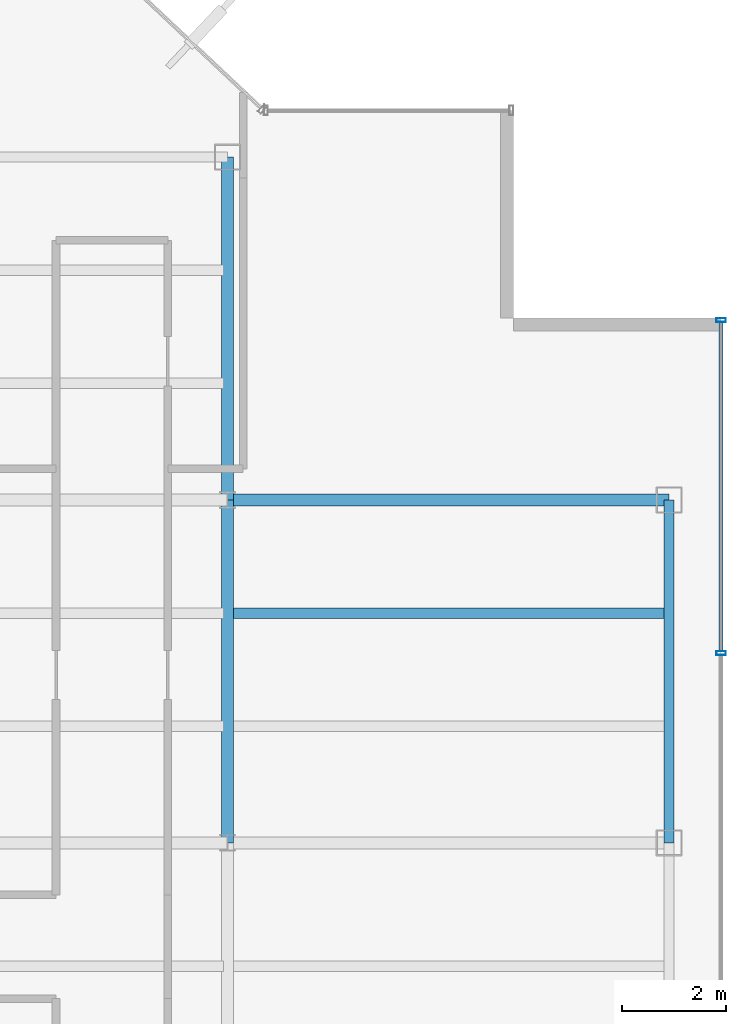
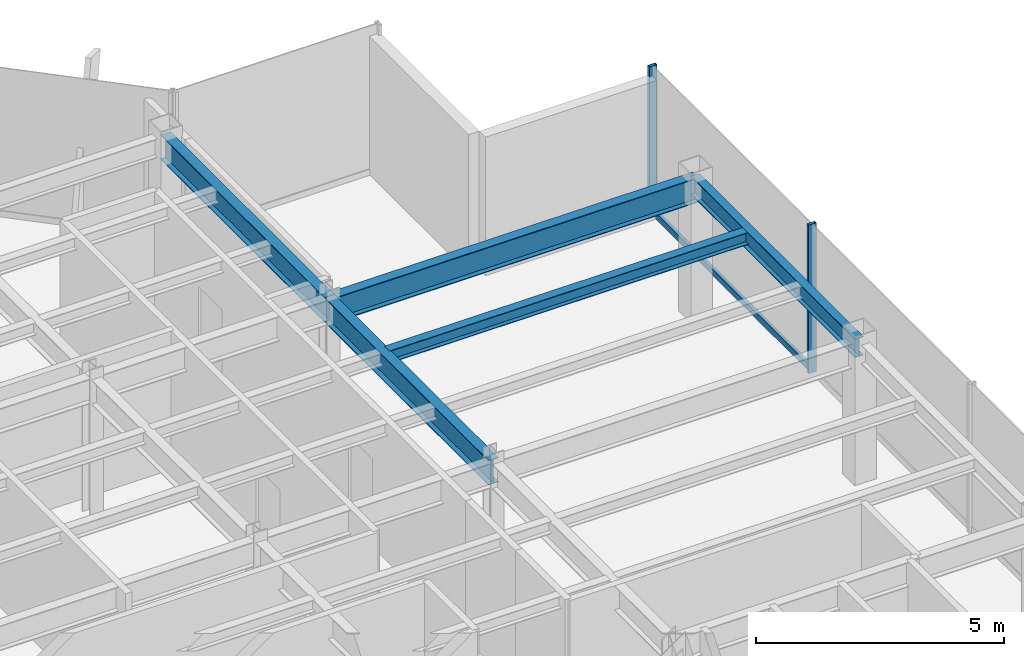
# One storey, part 11 of 22: 5 beams, 3 members, 1 element without a shape of its own.
"""IFC4 building model written with IfcOpenShell, lengths in metres."""

from ifc_helpers import new_model, si_unit, derived_unit, direction, frame, origin, origin_2d, place, context, subcontext, project, spatial, hollow_rectangle, i_section, extrude, source, transform, mapped, material, material_profile, profile_set, type_object, element, aggregate, save


model = new_model("IFC4")

# Units and contexts
model_context = context("Model", 3, precision=1e-05, world=origin(), true_north=direction((0.0, 1.0)))
body_context = subcontext(model_context, "Body", "Model", "MODEL_VIEW")
ifc_project = project(units=[si_unit("LENGTHUNIT", "METRE"), si_unit("AREAUNIT", "SQUARE_METRE"), si_unit("VOLUMEUNIT", "CUBIC_METRE"), si_unit("PLANEANGLEUNIT", "RADIAN"), si_unit("MASSUNIT", "GRAM", prefix="KILO"), derived_unit("THERMALTRANSMITTANCEUNIT", [(si_unit("POWERUNIT", "WATT"), 1), (si_unit("LENGTHUNIT", "METRE"), -2), (si_unit("THERMODYNAMICTEMPERATUREUNIT", "KELVIN"), -1)])], contexts=[model_context])

# Site, building, storey
site_placement = place(None, origin())
site = spatial("IfcSite", under=ifc_project, at=site_placement, CompositionType="ELEMENT")
building_placement = place(site_placement, origin())
building = spatial("IfcBuilding", under=site, at=building_placement, Name="Skarnbrae Concourse Arena and Tower", CompositionType="ELEMENT")
storey_placement = place(building_placement, frame((0.0, 0.0, 262.449951171875)))
storey = spatial("IfcBuildingStorey", under=building, at=storey_placement, Name="L68", CompositionType="ELEMENT", Elevation=262.449951171875)

# Beams
ifc_material_1 = material(Name="Steel CSA G40.21 350W", Category="steel")
ifc_material_profile_1 = material_profile(ifc_material_1, i_section(OverallWidth=0.22802734375, OverallDepth=0.60791015625, WebThickness=0.01123046875, FlangeThickness=0.017333984375, at=origin_2d()), Name="W610X113")
ifc_profile_set_1 = profile_set([ifc_material_profile_1], Name="Steel CSA G40.21 350W")
beam_type_1 = type_object("IfcBeamType", Name="BM-GIRD-W610X113", PredefinedType="BEAM", material=ifc_profile_set_1)
shared_shape_1 = source(origin(), body_context, "Body", "SweptSolid", [
    extrude(i_section(OverallWidth=0.22802734375, OverallDepth=0.60791015625, WebThickness=0.01123046875, FlangeThickness=0.017333984375, at=origin_2d()), origin(), (0.0, 0.0, 1.0), 6.60009765625),
])
beam_1_placement = place(storey_placement, frame((33.5, 21.199951171875, 3.095947265625), z_axis=(0.0, 1.0, 0.0), x_axis=(-1.0, 0.0, 0.0)))
element("IfcBeam", 1, at=beam_1_placement, inside=storey, type_object=beam_type_1, Name="L68 Primary N-S girder X33.5-2", PredefinedType="BEAM", context=body_context, shape_type="MappedRepresentation", body=[
    mapped(shared_shape_1, transform((0.0, 0.0, 0.0))),
])
shared_shape_2 = source(origin(), body_context, "Body", "SweptSolid", [
    extrude(i_section(OverallWidth=0.22802734375, OverallDepth=0.60791015625, WebThickness=0.01123046875, FlangeThickness=0.017333984375, at=origin_2d()), origin(), (0.0, 0.0, 1.0), 8.5),
])
beam_2_placement = place(storey_placement, frame((33.5, 27.800048828125, 3.095947265625), z_axis=(1.0, 0.0, 0.0), x_axis=(0.0, 1.0, 0.0)))
element("IfcBeam", 2, at=beam_2_placement, inside=storey, type_object=beam_type_1, Name="L68 Primary E-W girder Y27.8-6", PredefinedType="BEAM", context=body_context, shape_type="MappedRepresentation", body=[
    mapped(shared_shape_2, transform((0.0, 0.0, 0.0))),
])
ifc_material_profile_2 = material_profile(ifc_material_1, i_section(OverallWidth=0.19091796875, OverallDepth=0.4599609375, WebThickness=0.010009765625, FlangeThickness=0.01611328125, at=origin_2d()), Name="W460X82")
ifc_profile_set_2 = profile_set([ifc_material_profile_2], Name="Steel CSA G40.21 350W")
beam_type_2 = type_object("IfcBeamType", Name="BM-SPAN-W460X82", PredefinedType="SPANDREL", material=ifc_profile_set_2)
shared_shape_3 = source(origin(), body_context, "Body", "SweptSolid", [
    extrude(i_section(OverallWidth=0.19091796875, OverallDepth=0.4599609375, WebThickness=0.010009765625, FlangeThickness=0.01611328125, at=origin_2d()), origin(), (0.0, 0.0, 1.0), 6.60009765625),
])
beam_3_placement = place(storey_placement, frame((42.0, 21.199951171875, 3.170166015625), z_axis=(0.0, 1.0, 0.0), x_axis=(-1.0, 0.0, 0.0)))
element("IfcBeam", 3, at=beam_3_placement, inside=storey, type_object=beam_type_2, Name="L68 Perimeter spandrel X42.0-3", PredefinedType="SPANDREL", context=body_context, shape_type="MappedRepresentation", body=[
    mapped(shared_shape_3, transform((0.0, 0.0, 0.0))),
])
shared_shape_4 = source(origin(), body_context, "Body", "SweptSolid", [
    extrude(i_section(OverallWidth=0.22802734375, OverallDepth=0.60791015625, WebThickness=0.01123046875, FlangeThickness=0.017333984375, at=origin_2d()), origin(), (0.0, 0.0, 1.0), 6.599853515625),
])
beam_4_placement = place(storey_placement, frame((33.5, 27.800048828125, 3.095947265625), z_axis=(0.0, 1.0, 0.0), x_axis=(-1.0, 0.0, 0.0)))
element("IfcBeam", 4, at=beam_4_placement, inside=storey, type_object=beam_type_1, Name="L68 Primary N-S girder X33.5-3", PredefinedType="BEAM", context=body_context, shape_type="MappedRepresentation", body=[
    mapped(shared_shape_4, transform((0.0, 0.0, 0.0))),
])
ifc_material_profile_3 = material_profile(ifc_material_1, i_section(OverallWidth=0.202880859375, OverallDepth=0.302978515625, WebThickness=0.007568359375, FlangeThickness=0.01318359375, at=origin_2d()), Name="W310X60")
ifc_profile_set_3 = profile_set([ifc_material_profile_3], Name="Steel CSA G40.21 350W")
beam_type_3 = type_object("IfcBeamType", Name="BM-JOIST-W310X60", PredefinedType="JOIST", material=ifc_profile_set_3)
shared_shape_5 = source(origin(), body_context, "Body", "SweptSolid", [
    extrude(i_section(OverallWidth=0.202880859375, OverallDepth=0.302978515625, WebThickness=0.007568359375, FlangeThickness=0.01318359375, at=origin_2d()), origin(), (0.0, 0.0, 1.0), 8.33984375),
])
beam_5_placement = place(storey_placement, frame((33.580078125, 25.6220703125, 3.24853515625), z_axis=(1.0, 0.0, 0.0), x_axis=(0.0, 1.0, 0.0)))
element("IfcBeam", 5, at=beam_5_placement, inside=storey, type_object=beam_type_3, Name="L68 Secondary floor joist 2.2.6", PredefinedType="JOIST", context=body_context, shape_type="MappedRepresentation", body=[
    mapped(shared_shape_5, transform((0.0, 0.0, 0.0))),
])

# Curtain wall, members
ifc_material_2 = material(Name="Bronze anodised aluminium 6063-T6", Category="aluminium")
curtain_wall_type = type_object("IfcCurtainWallType", Name="CW-SYS-05-HIGHZONE", PredefinedType="USERDEFINED", material=ifc_material_2)
curtain_wall_placement = place(storey_placement, origin())
curtain_wall = element("IfcCurtainWall", 6, at=curtain_wall_placement, inside=storey, type_object=curtain_wall_type, Name="L68 Unitised curtain wall CW-L68-E04", ObjectType="UNITISED CURTAIN WALL", PredefinedType="USERDEFINED")
ifc_material_profile_4 = material_profile(ifc_material_2, hollow_rectangle(XDim=0.074951171875, YDim=0.14990234375, WallThickness=0.00390625, at=origin_2d()), Name="ALU-TRAN-75X150")
ifc_profile_set_4 = profile_set([ifc_material_profile_4], Name="Bronze anodised aluminium 6063-T6")
member_type_1 = type_object("IfcMemberType", Name="CWT-CW-05", PredefinedType="USERDEFINED", material=ifc_profile_set_4)
shared_shape_6 = source(origin(), body_context, "Body", "SweptSolid", [
    extrude(hollow_rectangle(XDim=0.074951171875, YDim=0.14990234375, WallThickness=0.00390625, at=origin_2d()), origin(), (0.0, 0.0, 1.0), 6.337646484375),
])
member_1_placement = place(storey_placement, frame((43.0, 24.887451171875, 0.074951171875), z_axis=(0.0, 1.0, 0.0), x_axis=(-1.0, 0.0, 0.0)))
member_1 = element("IfcMember", 7, at=member_1_placement, type_object=member_type_1, Name="CW-L68-E04 Transom 4", ObjectType="TRANSOM", PredefinedType="USERDEFINED", context=body_context, shape_type="MappedRepresentation", body=[
    mapped(shared_shape_6, transform((0.0, 0.0, 0.0))),
])
ifc_material_profile_5 = material_profile(ifc_material_2, hollow_rectangle(XDim=0.074951171875, YDim=0.179931640625, WallThickness=0.00390625, at=origin_2d()), Name="ALU-MULL-75X180")
ifc_profile_set_5 = profile_set([ifc_material_profile_5], Name="Bronze anodised aluminium 6063-T6")
member_type_2 = type_object("IfcMemberType", Name="CWM-CW-05", PredefinedType="MULLION", material=ifc_profile_set_5)
shared_shape_7 = source(origin(), body_context, "Body", "SweptSolid", [
    extrude(hollow_rectangle(XDim=0.074951171875, YDim=0.179931640625, WallThickness=0.00390625, at=origin_2d()), origin(), (0.0, 0.0, 1.0), 3.650146484375),
])
member_2_placement = place(storey_placement, frame((43.0, 24.85009765625, 0.0), z_axis=(0.0, 0.0, 1.0), x_axis=(0.0, 1.0, 0.0)))
member_2 = element("IfcMember", 8, at=member_2_placement, type_object=member_type_2, Name="CW-L68-E04 Mullion 4", PredefinedType="MULLION", context=body_context, shape_type="MappedRepresentation", body=[
    mapped(shared_shape_7, transform((0.0, 0.0, 0.0))),
])
member_3_placement = place(storey_placement, frame((43.0, 31.262451171875, 0.0), z_axis=(0.0, 0.0, 1.0), x_axis=(0.0, 1.0, 0.0)))
member_3 = element("IfcMember", 9, at=member_3_placement, type_object=member_type_2, Name="CW-L68-E04 Mullion 5", PredefinedType="MULLION", context=body_context, shape_type="MappedRepresentation", body=[
    mapped(shared_shape_7, transform((0.0, 0.0, 0.0))),
])
aggregate(curtain_wall, [member_2, member_3, member_1])

save(model, "model.ifc")
